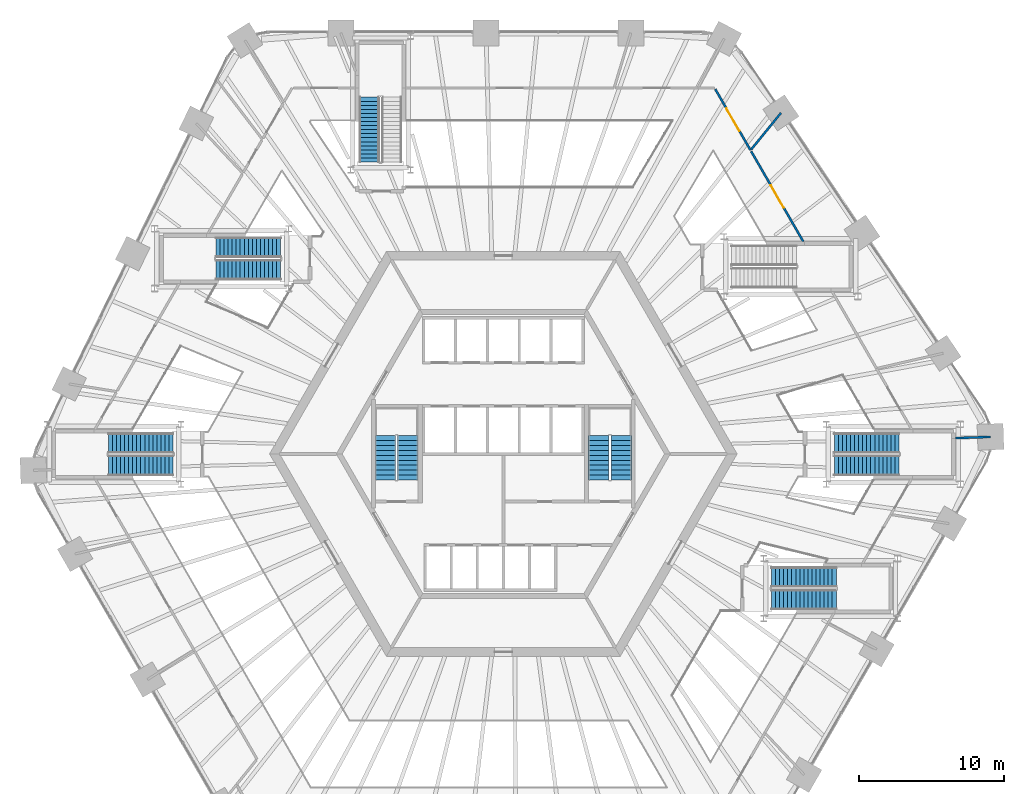
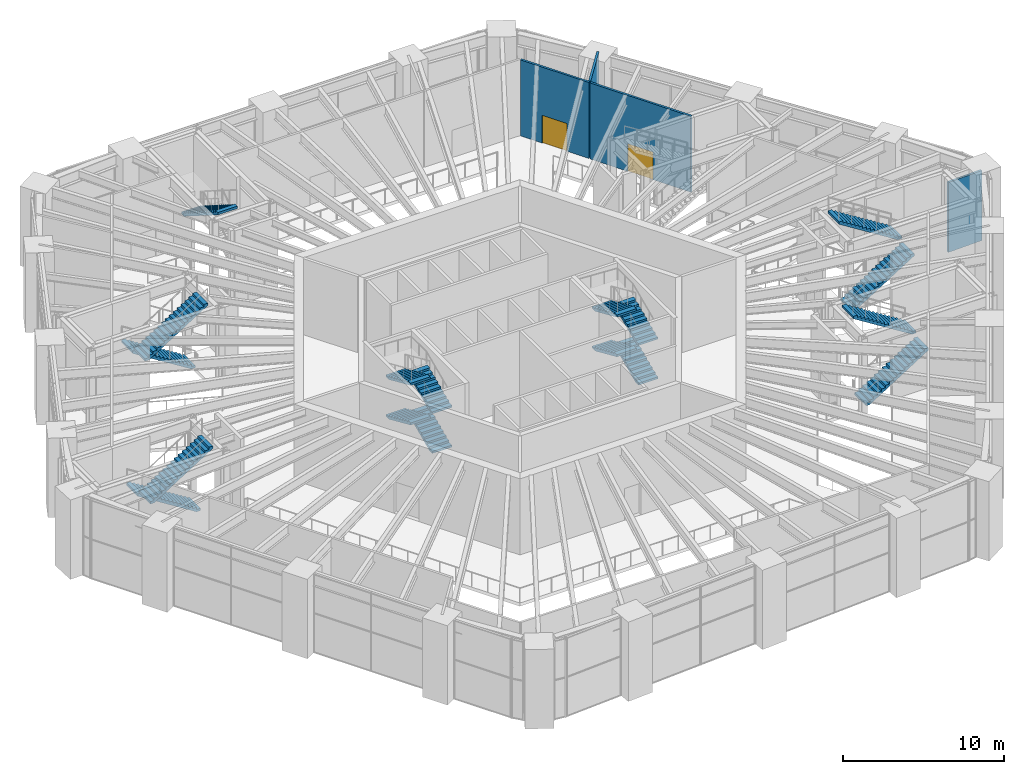
# One storey, part 25 of 32: 17 stair flights, 4 walls, 2 doors, 2 openings, 7 elements without a shape of their own.
"""IFC4 building model written with IfcOpenShell, lengths in metres."""

from ifc_helpers import new_model, si_unit, direction, frame, frame_2d, origin, place, context, subcontext, project, spatial, polyline, rectangle, outline, extrude, material, layer, layer_set, type_object, element, fill, aggregate, save


model = new_model("IFC4")

# Units and contexts
model_context = context("Model", 3, precision=1e-05, world=origin(), true_north=direction((0.0, 1.0)))
body_context = subcontext(model_context, "Body", "Model", "MODEL_VIEW")
ifc_project = project(units=[si_unit("LENGTHUNIT", "METRE"), si_unit("AREAUNIT", "SQUARE_METRE"), si_unit("VOLUMEUNIT", "CUBIC_METRE"), si_unit("PLANEANGLEUNIT", "RADIAN"), si_unit("MASSUNIT", "GRAM", prefix="KILO")], contexts=[model_context])

# Site, building, storey
site_placement = place(None, origin())
site = spatial("IfcSite", under=ifc_project, at=site_placement, CompositionType="ELEMENT")
building_placement = place(site_placement, origin())
building = spatial("IfcBuilding", under=site, at=building_placement, Name="Tarnside Tower", CompositionType="ELEMENT")
storey_placement = place(building_placement, frame((0.0, 0.0, 9.0)))
storey = spatial("IfcBuildingStorey", under=building, at=storey_placement, Name="L01", CompositionType="ELEMENT", Elevation=9.0)

# Wall, opening, door
ifc_material_1 = material(Name="Gypsum board")
ifc_layer = layer(ifc_material_1, 0.14990234375)
ifc_layer_set = layer_set([ifc_layer], Name="Partition 150 gypsum board on metal stud")
wall_type = type_object("IfcWallType", Name="Partition 150 gypsum board on metal stud", PredefinedType="PARTITIONING", material=ifc_layer_set)
wall_1_placement = place(storey_placement, frame((14.650390625, 25.22509765625, 0.0), z_axis=(0.0, 0.0, 1.0), x_axis=(0.499960365612, -0.8660482855, 0.0)))
wall_1 = element("IfcWall", 1, at=wall_1_placement, inside=storey, type_object=wall_type, Name="Partition 063", PredefinedType="PARTITIONING", context=body_context, shape_type="SweptSolid", body=[
    extrude(rectangle(XDim=4.8857421875, YDim=0.14990234375, at=frame_2d((2.44287109375, 0.0))), origin(), (0.0, 0.0, 1.0), 5.75),
])
opening_1_placement = place(wall_1_placement, frame((1.542724609375, 0.0, 0.0)))
opening_1 = element("IfcOpeningElement", 2, at=opening_1_placement, cuts=wall_1, Name="Opening D1800F30", PredefinedType="OPENING", context=body_context, shape_type="SweptSolid", body=[
    extrude(rectangle(XDim=1.800048828125, YDim=2.10009765625, at=frame_2d((0.89990234375, 1.050048828125))), frame((0.0, 0.0849609375, 0.0), z_axis=(0.0, -1.0, 0.0), x_axis=(1.0, 0.0, 0.0)), (0.0, 0.0, 1.0), 0.169921875),
])
ifc_material_2 = material(Name="Timber door leaf", Category="wood")
door_type = type_object("IfcDoorType", Name="Door pair 1800 x 2100 FD30S fire door", OperationType="NOTDEFINED", PredefinedType="DOOR", material=ifc_material_2)
door_1_placement = place(opening_1_placement, origin())
door_1 = element("IfcDoor", 3, at=door_1_placement, inside=storey, type_object=door_type, Name="Door L01-21", OperationType="DOUBLE_DOOR_SINGLE_SWING", OverallHeight=2.10009765625, OverallWidth=1.800048828125, PredefinedType="DOOR", context=body_context, shape_type="SweptSolid", body=[
    extrude(rectangle(XDim=1.800048828125, YDim=2.10009765625, at=frame_2d((0.89990234375, 1.050048828125))), frame((0.0, 0.02490234375, 0.0), z_axis=(0.0, -1.0, 0.0), x_axis=(1.0, 0.0, 0.0)), (0.0, 0.0, 1.0), 0.050048828125),
])
fill(opening_1, door_1)

# Wall
wall_2_placement = place(storey_placement, frame((19.197021484375, 23.577880859375, 0.0), z_axis=(0.0, 0.0, 1.0), x_axis=(-0.631437306041, -0.775426933076, 0.0)))
element("IfcWall", 4, at=wall_2_placement, inside=storey, type_object=wall_type, Name="Partition 067", PredefinedType="PARTITIONING", context=body_context, shape_type="SweptSolid", body=[
    extrude(rectangle(XDim=3.251953125, YDim=0.14990234375, at=frame_2d((1.6259765625, 0.0))), origin(), (0.0, 0.0, 1.0), 5.75),
])

# Wall, opening, door
wall_3_placement = place(storey_placement, frame((17.133056640625, 20.924560546875, 0.0), z_axis=(0.0, 0.0, 1.0), x_axis=(0.500050435772, -0.86599628272, 0.0)))
wall_3 = element("IfcWall", 5, at=wall_3_placement, inside=storey, type_object=wall_type, Name="Partition 070", PredefinedType="PARTITIONING", context=body_context, shape_type="SweptSolid", body=[
    extrude(rectangle(XDim=7.216552734375, YDim=0.14990234375, at=frame_2d((3.6083984375, 0.0))), origin(), (0.0, 0.0, 1.0), 5.75),
])
opening_2_placement = place(wall_3_placement, frame((2.708251953125, 0.0, 0.0)))
opening_2 = element("IfcOpeningElement", 6, at=opening_2_placement, cuts=wall_3, Name="Opening D1800F30", PredefinedType="OPENING", context=body_context, shape_type="SweptSolid", body=[
    extrude(rectangle(XDim=1.800048828125, YDim=2.10009765625, at=frame_2d((0.89990234375, 1.050048828125))), frame((0.0, 0.0849609375, 0.0), z_axis=(0.0, -1.0, 0.0), x_axis=(1.0, 0.0, 0.0)), (0.0, 0.0, 1.0), 0.169921875),
])
door_2_placement = place(opening_2_placement, origin())
door_2 = element("IfcDoor", 7, at=door_2_placement, inside=storey, type_object=door_type, Name="Door L01-23", OperationType="DOUBLE_DOOR_SINGLE_SWING", OverallHeight=2.10009765625, OverallWidth=1.800048828125, PredefinedType="DOOR", context=body_context, shape_type="SweptSolid", body=[
    extrude(rectangle(XDim=1.800048828125, YDim=2.10009765625, at=frame_2d((0.89990234375, 1.050048828125))), frame((0.0, 0.02490234375, 0.0), z_axis=(0.0, -1.0, 0.0), x_axis=(1.0, 0.0, 0.0)), (0.0, 0.0, 1.0), 0.050048828125),
])
fill(opening_2, door_2)

# Wall
wall_4_placement = place(storey_placement, frame((33.68505859375, 1.176025390625, 0.0), z_axis=(0.0, 0.0, 1.0), x_axis=(-0.999395360939, -0.034769419515, 0.0)))
element("IfcWall", 8, at=wall_4_placement, inside=storey, type_object=wall_type, Name="Partition 094", PredefinedType="PARTITIONING", context=body_context, shape_type="SweptSolid", body=[
    extrude(rectangle(XDim=2.4365234375, YDim=0.14990234375, at=frame_2d((1.21826171875, 0.0))), origin(), (0.0, 0.0, 1.0), 5.296630859375),
])

# Stair, stair flights
ifc_material_3 = material(Name="Concrete C40/50", Category="concrete")
stair_type_1 = type_object("IfcStairType", Name="Exit stair 1400 clear", PredefinedType="HALF_TURN_STAIR", material=ifc_material_3)
stair_1_placement = place(storey_placement, origin())
stair_1 = element("IfcStair", 9, at=stair_1_placement, inside=storey, type_object=stair_type_1, Name="L01 Exit stair 1", PredefinedType="HALF_TURN_STAIR")
stair_flight_type_1 = type_object("IfcStairFlightType", Name="Exit stair flight 1400", PredefinedType="STRAIGHT", material=ifc_material_3)
stair_flight_1_placement = place(storey_placement, frame((8.14990234375, -1.800048828125, 0.0), z_axis=(0.0, 0.0, 1.0), x_axis=(0.0, 1.0, 0.0)))
stair_flight_1 = element("IfcStairFlight", 10, at=stair_flight_1_placement, type_object=stair_flight_type_1, Name="ST1 flight 1", NumberOfRisers=10, NumberOfTreads=9, PredefinedType="STRAIGHT", RiserHeight=0.15, TreadLength=0.34, context=body_context, shape_type="SweptSolid", body=[
    extrude(outline(polyline([(0.0, 0.0), (0.0, 0.14990234375), (0.340087890625, 0.14990234375), (0.340087890625, 0.300048828125), (0.679931640625, 0.300048828125), (0.679931640625, 0.449951171875), (1.02001953125, 0.449951171875), (1.02001953125, 0.60009765625), (1.360107421875, 0.60009765625), (1.360107421875, 0.75), (1.699951171875, 0.75), (1.699951171875, 0.89990234375), (2.0400390625, 0.89990234375), (2.0400390625, 1.050048828125), (2.3798828125, 1.050048828125), (2.3798828125, 1.199951171875), (2.719970703125, 1.199951171875), (2.719970703125, 1.35009765625), (3.06005859375, 1.35009765625), (3.06005859375, 1.5), (3.06005859375, 1.186279296875), (0.371337890625, 0.0), (0.0, 0.0)])), frame((0.0, 0.699951171875, 0.0), z_axis=(0.0, -1.0, 0.0), x_axis=(1.0, 0.0, 0.0)), (0.0, 0.0, 1.0), 1.39990234375),
])
stair_flight_2_placement = place(storey_placement, frame((6.60009765625, 1.260009765625, 1.5), z_axis=(0.0, 0.0, 1.0), x_axis=(0.0, -1.0, 0.0)))
stair_flight_2 = element("IfcStairFlight", 11, at=stair_flight_2_placement, type_object=stair_flight_type_1, Name="ST1 flight 2", NumberOfRisers=10, NumberOfTreads=9, PredefinedType="STRAIGHT", RiserHeight=0.15, TreadLength=0.34, context=body_context, shape_type="SweptSolid", body=[
    extrude(outline(polyline([(0.0, 0.0), (0.0, 0.14990234375), (0.340087890625, 0.14990234375), (0.340087890625, 0.300048828125), (0.679931640625, 0.300048828125), (0.679931640625, 0.449951171875), (1.02001953125, 0.449951171875), (1.02001953125, 0.60009765625), (1.360107421875, 0.60009765625), (1.360107421875, 0.75), (1.699951171875, 0.75), (1.699951171875, 0.89990234375), (2.0400390625, 0.89990234375), (2.0400390625, 1.050048828125), (2.3798828125, 1.050048828125), (2.3798828125, 1.199951171875), (2.719970703125, 1.199951171875), (2.719970703125, 1.35009765625), (3.06005859375, 1.35009765625), (3.06005859375, 1.5), (3.06005859375, 1.186279296875), (0.371337890625, 0.0), (0.0, 0.0)])), frame((0.0, 0.699951171875, 0.0), z_axis=(0.0, -1.0, 0.0), x_axis=(1.0, 0.0, 0.0)), (0.0, 0.0, 1.0), 1.39990234375),
])
stair_flight_3_placement = place(storey_placement, frame((8.14990234375, -1.800048828125, 3.0), z_axis=(0.0, 0.0, 1.0), x_axis=(0.0, 1.0, 0.0)))
stair_flight_3 = element("IfcStairFlight", 12, at=stair_flight_3_placement, type_object=stair_flight_type_1, Name="ST1 flight 3", NumberOfRisers=10, NumberOfTreads=9, PredefinedType="STRAIGHT", RiserHeight=0.15, TreadLength=0.34, context=body_context, shape_type="SweptSolid", body=[
    extrude(outline(polyline([(0.0, 0.0), (0.0, 0.14990234375), (0.340087890625, 0.14990234375), (0.340087890625, 0.300048828125), (0.679931640625, 0.300048828125), (0.679931640625, 0.449951171875), (1.02001953125, 0.449951171875), (1.02001953125, 0.60009765625), (1.360107421875, 0.60009765625), (1.360107421875, 0.75), (1.699951171875, 0.75), (1.699951171875, 0.89990234375), (2.0400390625, 0.89990234375), (2.0400390625, 1.050048828125), (2.3798828125, 1.050048828125), (2.3798828125, 1.199951171875), (2.719970703125, 1.199951171875), (2.719970703125, 1.35009765625), (3.06005859375, 1.35009765625), (3.06005859375, 1.5), (3.06005859375, 1.186279296875), (0.371337890625, 0.0), (0.0, 0.0)])), frame((0.0, 0.699951171875, 0.0), z_axis=(0.0, -1.0, 0.0), x_axis=(1.0, 0.0, 0.0)), (0.0, 0.0, 1.0), 1.39990234375),
])
stair_flight_4_placement = place(storey_placement, frame((6.60009765625, 1.260009765625, 4.5), z_axis=(0.0, 0.0, 1.0), x_axis=(0.0, -1.0, 0.0)))
stair_flight_4 = element("IfcStairFlight", 13, at=stair_flight_4_placement, type_object=stair_flight_type_1, Name="ST1 flight 4", NumberOfRisers=10, NumberOfTreads=9, PredefinedType="STRAIGHT", RiserHeight=0.15, TreadLength=0.34, context=body_context, shape_type="SweptSolid", body=[
    extrude(outline(polyline([(0.0, 0.0), (0.0, 0.14990234375), (0.340087890625, 0.14990234375), (0.340087890625, 0.300048828125), (0.679931640625, 0.300048828125), (0.679931640625, 0.449951171875), (1.02001953125, 0.449951171875), (1.02001953125, 0.60009765625), (1.360107421875, 0.60009765625), (1.360107421875, 0.75), (1.699951171875, 0.75), (1.699951171875, 0.89990234375), (2.0400390625, 0.89990234375), (2.0400390625, 1.050048828125), (2.3798828125, 1.050048828125), (2.3798828125, 1.199951171875), (2.719970703125, 1.199951171875), (2.719970703125, 1.35009765625), (3.06005859375, 1.35009765625), (3.06005859375, 1.5), (3.06005859375, 1.186279296875), (0.371337890625, 0.0), (0.0, 0.0)])), frame((0.0, 0.699951171875, 0.0), z_axis=(0.0, -1.0, 0.0), x_axis=(1.0, 0.0, 0.0)), (0.0, 0.0, 1.0), 1.39990234375),
])
aggregate(stair_1, [stair_flight_1, stair_flight_2, stair_flight_3, stair_flight_4])

stair_2_placement = place(storey_placement, origin())
stair_2 = element("IfcStair", 14, at=stair_2_placement, inside=storey, type_object=stair_type_1, Name="L01 Exit stair 2", PredefinedType="HALF_TURN_STAIR")
stair_flight_5_placement = place(storey_placement, frame((-6.60009765625, -1.800048828125, 0.0), z_axis=(0.0, 0.0, 1.0), x_axis=(0.0, 1.0, 0.0)))
stair_flight_5 = element("IfcStairFlight", 15, at=stair_flight_5_placement, type_object=stair_flight_type_1, Name="ST2 flight 1", NumberOfRisers=10, NumberOfTreads=9, PredefinedType="STRAIGHT", RiserHeight=0.15, TreadLength=0.34, context=body_context, shape_type="SweptSolid", body=[
    extrude(outline(polyline([(0.0, 0.0), (0.0, 0.14990234375), (0.340087890625, 0.14990234375), (0.340087890625, 0.300048828125), (0.679931640625, 0.300048828125), (0.679931640625, 0.449951171875), (1.02001953125, 0.449951171875), (1.02001953125, 0.60009765625), (1.360107421875, 0.60009765625), (1.360107421875, 0.75), (1.699951171875, 0.75), (1.699951171875, 0.89990234375), (2.0400390625, 0.89990234375), (2.0400390625, 1.050048828125), (2.3798828125, 1.050048828125), (2.3798828125, 1.199951171875), (2.719970703125, 1.199951171875), (2.719970703125, 1.35009765625), (3.06005859375, 1.35009765625), (3.06005859375, 1.5), (3.06005859375, 1.186279296875), (0.371337890625, 0.0), (0.0, 0.0)])), frame((0.0, 0.699951171875, 0.0), z_axis=(0.0, -1.0, 0.0), x_axis=(1.0, 0.0, 0.0)), (0.0, 0.0, 1.0), 1.39990234375),
])
stair_flight_6_placement = place(storey_placement, frame((-8.14990234375, 1.260009765625, 1.5), z_axis=(0.0, 0.0, 1.0), x_axis=(0.0, -1.0, 0.0)))
stair_flight_6 = element("IfcStairFlight", 16, at=stair_flight_6_placement, type_object=stair_flight_type_1, Name="ST2 flight 2", NumberOfRisers=10, NumberOfTreads=9, PredefinedType="STRAIGHT", RiserHeight=0.15, TreadLength=0.34, context=body_context, shape_type="SweptSolid", body=[
    extrude(outline(polyline([(0.0, 0.0), (0.0, 0.14990234375), (0.340087890625, 0.14990234375), (0.340087890625, 0.300048828125), (0.679931640625, 0.300048828125), (0.679931640625, 0.449951171875), (1.02001953125, 0.449951171875), (1.02001953125, 0.60009765625), (1.360107421875, 0.60009765625), (1.360107421875, 0.75), (1.699951171875, 0.75), (1.699951171875, 0.89990234375), (2.0400390625, 0.89990234375), (2.0400390625, 1.050048828125), (2.3798828125, 1.050048828125), (2.3798828125, 1.199951171875), (2.719970703125, 1.199951171875), (2.719970703125, 1.35009765625), (3.06005859375, 1.35009765625), (3.06005859375, 1.5), (3.06005859375, 1.186279296875), (0.371337890625, 0.0), (0.0, 0.0)])), frame((0.0, 0.699951171875, 0.0), z_axis=(0.0, -1.0, 0.0), x_axis=(1.0, 0.0, 0.0)), (0.0, 0.0, 1.0), 1.39990234375),
])
stair_flight_7_placement = place(storey_placement, frame((-6.60009765625, -1.800048828125, 3.0), z_axis=(0.0, 0.0, 1.0), x_axis=(0.0, 1.0, 0.0)))
stair_flight_7 = element("IfcStairFlight", 17, at=stair_flight_7_placement, type_object=stair_flight_type_1, Name="ST2 flight 3", NumberOfRisers=10, NumberOfTreads=9, PredefinedType="STRAIGHT", RiserHeight=0.15, TreadLength=0.34, context=body_context, shape_type="SweptSolid", body=[
    extrude(outline(polyline([(0.0, 0.0), (0.0, 0.14990234375), (0.340087890625, 0.14990234375), (0.340087890625, 0.300048828125), (0.679931640625, 0.300048828125), (0.679931640625, 0.449951171875), (1.02001953125, 0.449951171875), (1.02001953125, 0.60009765625), (1.360107421875, 0.60009765625), (1.360107421875, 0.75), (1.699951171875, 0.75), (1.699951171875, 0.89990234375), (2.0400390625, 0.89990234375), (2.0400390625, 1.050048828125), (2.3798828125, 1.050048828125), (2.3798828125, 1.199951171875), (2.719970703125, 1.199951171875), (2.719970703125, 1.35009765625), (3.06005859375, 1.35009765625), (3.06005859375, 1.5), (3.06005859375, 1.186279296875), (0.371337890625, 0.0), (0.0, 0.0)])), frame((0.0, 0.699951171875, 0.0), z_axis=(0.0, -1.0, 0.0), x_axis=(1.0, 0.0, 0.0)), (0.0, 0.0, 1.0), 1.39990234375),
])
stair_flight_8_placement = place(storey_placement, frame((-8.14990234375, 1.260009765625, 4.5), z_axis=(0.0, 0.0, 1.0), x_axis=(0.0, -1.0, 0.0)))
stair_flight_8 = element("IfcStairFlight", 18, at=stair_flight_8_placement, type_object=stair_flight_type_1, Name="ST2 flight 4", NumberOfRisers=10, NumberOfTreads=9, PredefinedType="STRAIGHT", RiserHeight=0.15, TreadLength=0.34, context=body_context, shape_type="SweptSolid", body=[
    extrude(outline(polyline([(0.0, 0.0), (0.0, 0.14990234375), (0.340087890625, 0.14990234375), (0.340087890625, 0.300048828125), (0.679931640625, 0.300048828125), (0.679931640625, 0.449951171875), (1.02001953125, 0.449951171875), (1.02001953125, 0.60009765625), (1.360107421875, 0.60009765625), (1.360107421875, 0.75), (1.699951171875, 0.75), (1.699951171875, 0.89990234375), (2.0400390625, 0.89990234375), (2.0400390625, 1.050048828125), (2.3798828125, 1.050048828125), (2.3798828125, 1.199951171875), (2.719970703125, 1.199951171875), (2.719970703125, 1.35009765625), (3.06005859375, 1.35009765625), (3.06005859375, 1.5), (3.06005859375, 1.186279296875), (0.371337890625, 0.0), (0.0, 0.0)])), frame((0.0, 0.699951171875, 0.0), z_axis=(0.0, -1.0, 0.0), x_axis=(1.0, 0.0, 0.0)), (0.0, 0.0, 1.0), 1.39990234375),
])
aggregate(stair_2, [stair_flight_5, stair_flight_6, stair_flight_7, stair_flight_8])

# Stair, stair flight
stair_type_2 = type_object("IfcStairType", Name="Podium exit stair 1400 clear", PredefinedType="HALF_TURN_STAIR", material=ifc_material_3)
stair_3_placement = place(storey_placement, origin())
stair_3 = element("IfcStair", 19, at=stair_3_placement, inside=storey, type_object=stair_type_2, Name="L01 Podium exit stair 1", PredefinedType="HALF_TURN_STAIR")
stair_flight_type_2 = type_object("IfcStairFlightType", Name="Podium exit stair flight 1400", PredefinedType="STRAIGHT", material=ifc_material_3)
stair_flight_9_placement = place(storey_placement, frame((-9.2646484375, 24.659912109375, 3.0), z_axis=(0.0, 0.0, 1.0), x_axis=(0.0, -1.0, 0.0)))
stair_flight_9 = element("IfcStairFlight", 20, at=stair_flight_9_placement, type_object=stair_flight_type_2, Name="PS1 flight 2", NumberOfRisers=17, NumberOfTreads=16, PredefinedType="STRAIGHT", RiserHeight=0.176470588, TreadLength=0.28, context=body_context, shape_type="SweptSolid", body=[
    extrude(outline(polyline([(0.0, 0.0), (0.0, 0.176513671875), (0.280029296875, 0.176513671875), (0.280029296875, 0.35302734375), (0.56005859375, 0.35302734375), (0.56005859375, 0.529296875), (0.840087890625, 0.529296875), (0.840087890625, 0.705810546875), (1.1201171875, 0.705810546875), (1.1201171875, 0.88232421875), (1.39990234375, 0.88232421875), (1.39990234375, 1.058837890625), (1.679931640625, 1.058837890625), (1.679931640625, 1.2353515625), (1.9599609375, 1.2353515625), (1.9599609375, 1.411865234375), (2.239990234375, 1.411865234375), (2.239990234375, 1.588134765625), (2.52001953125, 1.588134765625), (2.52001953125, 1.7646484375), (2.800048828125, 1.7646484375), (2.800048828125, 1.941162109375), (3.080078125, 1.941162109375), (3.080078125, 2.11767578125), (3.360107421875, 2.11767578125), (3.360107421875, 2.294189453125), (3.639892578125, 2.294189453125), (3.639892578125, 2.470703125), (3.919921875, 2.470703125), (3.919921875, 2.64697265625), (4.199951171875, 2.64697265625), (4.199951171875, 2.823486328125), (4.47998046875, 2.823486328125), (4.47998046875, 3.0), (4.47998046875, 2.646240234375), (0.28125, 0.0), (0.0, 0.0)])), frame((0.0, 0.699951171875, 0.0), z_axis=(0.0, -1.0, 0.0), x_axis=(1.0, 0.0, 0.0)), (0.0, 0.0, 1.0), 1.39990234375),
])
aggregate(stair_3, [stair_flight_9])

# Stair, stair flights
stair_4_placement = place(storey_placement, origin())
stair_4 = element("IfcStair", 21, at=stair_4_placement, inside=storey, type_object=stair_type_2, Name="L01 Podium exit stair 2", PredefinedType="HALF_TURN_STAIR")
stair_flight_10_placement = place(storey_placement, frame((-22.830078125, 0.75, 0.0), z_axis=(0.0, 0.0, 1.0), x_axis=(-1.0, 0.0, 0.0)))
stair_flight_10 = element("IfcStairFlight", 22, at=stair_flight_10_placement, type_object=stair_flight_type_2, Name="PS2 flight 1", NumberOfRisers=17, NumberOfTreads=16, PredefinedType="STRAIGHT", RiserHeight=0.176470588, TreadLength=0.28, context=body_context, shape_type="SweptSolid", body=[
    extrude(outline(polyline([(0.0, 0.0), (0.0, 0.176513671875), (0.280029296875, 0.176513671875), (0.280029296875, 0.35302734375), (0.56005859375, 0.35302734375), (0.56005859375, 0.529296875), (0.840087890625, 0.529296875), (0.840087890625, 0.705810546875), (1.1201171875, 0.705810546875), (1.1201171875, 0.88232421875), (1.39990234375, 0.88232421875), (1.39990234375, 1.058837890625), (1.679931640625, 1.058837890625), (1.679931640625, 1.2353515625), (1.9599609375, 1.2353515625), (1.9599609375, 1.411865234375), (2.239990234375, 1.411865234375), (2.239990234375, 1.588134765625), (2.52001953125, 1.588134765625), (2.52001953125, 1.7646484375), (2.800048828125, 1.7646484375), (2.800048828125, 1.941162109375), (3.080078125, 1.941162109375), (3.080078125, 2.11767578125), (3.360107421875, 2.11767578125), (3.360107421875, 2.294189453125), (3.639892578125, 2.294189453125), (3.639892578125, 2.470703125), (3.919921875, 2.470703125), (3.919921875, 2.64697265625), (4.199951171875, 2.64697265625), (4.199951171875, 2.823486328125), (4.47998046875, 2.823486328125), (4.47998046875, 3.0), (4.47998046875, 2.646240234375), (0.28125, 0.0), (0.0, 0.0)])), frame((0.0, 0.699951171875, 0.0), z_axis=(0.0, -1.0, 0.0), x_axis=(1.0, 0.0, 0.0)), (0.0, 0.0, 1.0), 1.39990234375),
])
stair_flight_11_placement = place(storey_placement, frame((-27.31005859375, -0.800048828125, 3.0), z_axis=(0.0, 0.0, 1.0), x_axis=(1.0, 0.0, 0.0)))
stair_flight_11 = element("IfcStairFlight", 23, at=stair_flight_11_placement, type_object=stair_flight_type_2, Name="PS2 flight 2", NumberOfRisers=17, NumberOfTreads=16, PredefinedType="STRAIGHT", RiserHeight=0.176470588, TreadLength=0.28, context=body_context, shape_type="SweptSolid", body=[
    extrude(outline(polyline([(0.0, 0.0), (0.0, 0.176513671875), (0.280029296875, 0.176513671875), (0.280029296875, 0.35302734375), (0.56005859375, 0.35302734375), (0.56005859375, 0.529296875), (0.840087890625, 0.529296875), (0.840087890625, 0.705810546875), (1.1201171875, 0.705810546875), (1.1201171875, 0.88232421875), (1.39990234375, 0.88232421875), (1.39990234375, 1.058837890625), (1.679931640625, 1.058837890625), (1.679931640625, 1.2353515625), (1.9599609375, 1.2353515625), (1.9599609375, 1.411865234375), (2.239990234375, 1.411865234375), (2.239990234375, 1.588134765625), (2.52001953125, 1.588134765625), (2.52001953125, 1.7646484375), (2.800048828125, 1.7646484375), (2.800048828125, 1.941162109375), (3.080078125, 1.941162109375), (3.080078125, 2.11767578125), (3.360107421875, 2.11767578125), (3.360107421875, 2.294189453125), (3.639892578125, 2.294189453125), (3.639892578125, 2.470703125), (3.919921875, 2.470703125), (3.919921875, 2.64697265625), (4.199951171875, 2.64697265625), (4.199951171875, 2.823486328125), (4.47998046875, 2.823486328125), (4.47998046875, 3.0), (4.47998046875, 2.646240234375), (0.28125, 0.0), (0.0, 0.0)])), frame((0.0, 0.699951171875, 0.0), z_axis=(0.0, -1.0, 0.0), x_axis=(1.0, 0.0, 0.0)), (0.0, 0.0, 1.0), 1.39990234375),
])
aggregate(stair_4, [stair_flight_10, stair_flight_11])

stair_5_placement = place(storey_placement, origin())
stair_5 = element("IfcStair", 24, at=stair_5_placement, inside=storey, type_object=stair_type_2, Name="L01 Podium exit stair 3", PredefinedType="HALF_TURN_STAIR")
stair_flight_12_placement = place(storey_placement, frame((22.8798828125, -0.800048828125, 0.0), z_axis=(0.0, 0.0, 1.0), x_axis=(1.0, 0.0, 0.0)))
stair_flight_12 = element("IfcStairFlight", 25, at=stair_flight_12_placement, type_object=stair_flight_type_2, Name="PS3 flight 1", NumberOfRisers=17, NumberOfTreads=16, PredefinedType="STRAIGHT", RiserHeight=0.176470588, TreadLength=0.28, context=body_context, shape_type="SweptSolid", body=[
    extrude(outline(polyline([(0.0, 0.0), (0.0, 0.176513671875), (0.280029296875, 0.176513671875), (0.280029296875, 0.35302734375), (0.56005859375, 0.35302734375), (0.56005859375, 0.529296875), (0.840087890625, 0.529296875), (0.840087890625, 0.705810546875), (1.1201171875, 0.705810546875), (1.1201171875, 0.88232421875), (1.39990234375, 0.88232421875), (1.39990234375, 1.058837890625), (1.679931640625, 1.058837890625), (1.679931640625, 1.2353515625), (1.9599609375, 1.2353515625), (1.9599609375, 1.411865234375), (2.239990234375, 1.411865234375), (2.239990234375, 1.588134765625), (2.52001953125, 1.588134765625), (2.52001953125, 1.7646484375), (2.800048828125, 1.7646484375), (2.800048828125, 1.941162109375), (3.080078125, 1.941162109375), (3.080078125, 2.11767578125), (3.360107421875, 2.11767578125), (3.360107421875, 2.294189453125), (3.639892578125, 2.294189453125), (3.639892578125, 2.470703125), (3.919921875, 2.470703125), (3.919921875, 2.64697265625), (4.199951171875, 2.64697265625), (4.199951171875, 2.823486328125), (4.47998046875, 2.823486328125), (4.47998046875, 3.0), (4.47998046875, 2.646240234375), (0.28125, 0.0), (0.0, 0.0)])), frame((0.0, 0.699951171875, 0.0), z_axis=(0.0, -1.0, 0.0), x_axis=(1.0, 0.0, 0.0)), (0.0, 0.0, 1.0), 1.39990234375),
])
stair_flight_13_placement = place(storey_placement, frame((27.360107421875, 0.75, 3.0), z_axis=(0.0, 0.0, 1.0), x_axis=(-1.0, 0.0, 0.0)))
stair_flight_13 = element("IfcStairFlight", 26, at=stair_flight_13_placement, type_object=stair_flight_type_2, Name="PS3 flight 2", NumberOfRisers=17, NumberOfTreads=16, PredefinedType="STRAIGHT", RiserHeight=0.176470588, TreadLength=0.28, context=body_context, shape_type="SweptSolid", body=[
    extrude(outline(polyline([(0.0, 0.0), (0.0, 0.176513671875), (0.280029296875, 0.176513671875), (0.280029296875, 0.35302734375), (0.56005859375, 0.35302734375), (0.56005859375, 0.529296875), (0.840087890625, 0.529296875), (0.840087890625, 0.705810546875), (1.1201171875, 0.705810546875), (1.1201171875, 0.88232421875), (1.39990234375, 0.88232421875), (1.39990234375, 1.058837890625), (1.679931640625, 1.058837890625), (1.679931640625, 1.2353515625), (1.9599609375, 1.2353515625), (1.9599609375, 1.411865234375), (2.239990234375, 1.411865234375), (2.239990234375, 1.588134765625), (2.52001953125, 1.588134765625), (2.52001953125, 1.7646484375), (2.800048828125, 1.7646484375), (2.800048828125, 1.941162109375), (3.080078125, 1.941162109375), (3.080078125, 2.11767578125), (3.360107421875, 2.11767578125), (3.360107421875, 2.294189453125), (3.639892578125, 2.294189453125), (3.639892578125, 2.470703125), (3.919921875, 2.470703125), (3.919921875, 2.64697265625), (4.199951171875, 2.64697265625), (4.199951171875, 2.823486328125), (4.47998046875, 2.823486328125), (4.47998046875, 3.0), (4.47998046875, 2.646240234375), (0.28125, 0.0), (0.0, 0.0)])), frame((0.0, 0.699951171875, 0.0), z_axis=(0.0, -1.0, 0.0), x_axis=(1.0, 0.0, 0.0)), (0.0, 0.0, 1.0), 1.39990234375),
])
aggregate(stair_5, [stair_flight_12, stair_flight_13])

stair_6_placement = place(storey_placement, origin())
stair_6 = element("IfcStair", 27, at=stair_6_placement, inside=storey, type_object=stair_type_2, Name="L01 Podium exit stair 5", PredefinedType="HALF_TURN_STAIR")
stair_flight_14_placement = place(storey_placement, frame((18.5400390625, -10.074951171875, 0.0), z_axis=(0.0, 0.0, 1.0), x_axis=(1.0, 0.0, 0.0)))
stair_flight_14 = element("IfcStairFlight", 28, at=stair_flight_14_placement, type_object=stair_flight_type_2, Name="PS5 flight 1", NumberOfRisers=17, NumberOfTreads=16, PredefinedType="STRAIGHT", RiserHeight=0.176470588, TreadLength=0.28, context=body_context, shape_type="SweptSolid", body=[
    extrude(outline(polyline([(0.0, 0.0), (0.0, 0.176513671875), (0.280029296875, 0.176513671875), (0.280029296875, 0.35302734375), (0.56005859375, 0.35302734375), (0.56005859375, 0.529296875), (0.840087890625, 0.529296875), (0.840087890625, 0.705810546875), (1.1201171875, 0.705810546875), (1.1201171875, 0.88232421875), (1.39990234375, 0.88232421875), (1.39990234375, 1.058837890625), (1.679931640625, 1.058837890625), (1.679931640625, 1.2353515625), (1.9599609375, 1.2353515625), (1.9599609375, 1.411865234375), (2.239990234375, 1.411865234375), (2.239990234375, 1.588134765625), (2.52001953125, 1.588134765625), (2.52001953125, 1.7646484375), (2.800048828125, 1.7646484375), (2.800048828125, 1.941162109375), (3.080078125, 1.941162109375), (3.080078125, 2.11767578125), (3.360107421875, 2.11767578125), (3.360107421875, 2.294189453125), (3.639892578125, 2.294189453125), (3.639892578125, 2.470703125), (3.919921875, 2.470703125), (3.919921875, 2.64697265625), (4.199951171875, 2.64697265625), (4.199951171875, 2.823486328125), (4.47998046875, 2.823486328125), (4.47998046875, 3.0), (4.47998046875, 2.646240234375), (0.28125, 0.0), (0.0, 0.0)])), frame((0.0, 0.699951171875, 0.0), z_axis=(0.0, -1.0, 0.0), x_axis=(1.0, 0.0, 0.0)), (0.0, 0.0, 1.0), 1.39990234375),
])
stair_flight_15_placement = place(storey_placement, frame((23.02001953125, -8.52490234375, 3.0), z_axis=(0.0, 0.0, 1.0), x_axis=(-1.0, 0.0, 0.0)))
stair_flight_15 = element("IfcStairFlight", 29, at=stair_flight_15_placement, type_object=stair_flight_type_2, Name="PS5 flight 2", NumberOfRisers=17, NumberOfTreads=16, PredefinedType="STRAIGHT", RiserHeight=0.176470588, TreadLength=0.28, context=body_context, shape_type="SweptSolid", body=[
    extrude(outline(polyline([(0.0, 0.0), (0.0, 0.176513671875), (0.280029296875, 0.176513671875), (0.280029296875, 0.35302734375), (0.56005859375, 0.35302734375), (0.56005859375, 0.529296875), (0.840087890625, 0.529296875), (0.840087890625, 0.705810546875), (1.1201171875, 0.705810546875), (1.1201171875, 0.88232421875), (1.39990234375, 0.88232421875), (1.39990234375, 1.058837890625), (1.679931640625, 1.058837890625), (1.679931640625, 1.2353515625), (1.9599609375, 1.2353515625), (1.9599609375, 1.411865234375), (2.239990234375, 1.411865234375), (2.239990234375, 1.588134765625), (2.52001953125, 1.588134765625), (2.52001953125, 1.7646484375), (2.800048828125, 1.7646484375), (2.800048828125, 1.941162109375), (3.080078125, 1.941162109375), (3.080078125, 2.11767578125), (3.360107421875, 2.11767578125), (3.360107421875, 2.294189453125), (3.639892578125, 2.294189453125), (3.639892578125, 2.470703125), (3.919921875, 2.470703125), (3.919921875, 2.64697265625), (4.199951171875, 2.64697265625), (4.199951171875, 2.823486328125), (4.47998046875, 2.823486328125), (4.47998046875, 3.0), (4.47998046875, 2.646240234375), (0.28125, 0.0), (0.0, 0.0)])), frame((0.0, 0.699951171875, 0.0), z_axis=(0.0, -1.0, 0.0), x_axis=(1.0, 0.0, 0.0)), (0.0, 0.0, 1.0), 1.39990234375),
])
aggregate(stair_6, [stair_flight_14, stair_flight_15])

stair_7_placement = place(storey_placement, origin())
stair_7 = element("IfcStair", 30, at=stair_7_placement, inside=storey, type_object=stair_type_2, Name="L01 Podium exit stair 6", PredefinedType="HALF_TURN_STAIR")
stair_flight_16_placement = place(storey_placement, frame((-15.389892578125, 14.27490234375, 0.0), z_axis=(0.0, 0.0, 1.0), x_axis=(-1.0, 0.0, 0.0)))
stair_flight_16 = element("IfcStairFlight", 31, at=stair_flight_16_placement, type_object=stair_flight_type_2, Name="PS6 flight 1", NumberOfRisers=17, NumberOfTreads=16, PredefinedType="STRAIGHT", RiserHeight=0.176470588, TreadLength=0.28, context=body_context, shape_type="SweptSolid", body=[
    extrude(outline(polyline([(0.0, 0.0), (0.0, 0.176513671875), (0.280029296875, 0.176513671875), (0.280029296875, 0.35302734375), (0.56005859375, 0.35302734375), (0.56005859375, 0.529296875), (0.840087890625, 0.529296875), (0.840087890625, 0.705810546875), (1.1201171875, 0.705810546875), (1.1201171875, 0.88232421875), (1.39990234375, 0.88232421875), (1.39990234375, 1.058837890625), (1.679931640625, 1.058837890625), (1.679931640625, 1.2353515625), (1.9599609375, 1.2353515625), (1.9599609375, 1.411865234375), (2.239990234375, 1.411865234375), (2.239990234375, 1.588134765625), (2.52001953125, 1.588134765625), (2.52001953125, 1.7646484375), (2.800048828125, 1.7646484375), (2.800048828125, 1.941162109375), (3.080078125, 1.941162109375), (3.080078125, 2.11767578125), (3.360107421875, 2.11767578125), (3.360107421875, 2.294189453125), (3.639892578125, 2.294189453125), (3.639892578125, 2.470703125), (3.919921875, 2.470703125), (3.919921875, 2.64697265625), (4.199951171875, 2.64697265625), (4.199951171875, 2.823486328125), (4.47998046875, 2.823486328125), (4.47998046875, 3.0), (4.47998046875, 2.646240234375), (0.28125, 0.0), (0.0, 0.0)])), frame((0.0, 0.699951171875, 0.0), z_axis=(0.0, -1.0, 0.0), x_axis=(1.0, 0.0, 0.0)), (0.0, 0.0, 1.0), 1.39990234375),
])
stair_flight_17_placement = place(storey_placement, frame((-19.8701171875, 12.72509765625, 3.0), z_axis=(0.0, 0.0, 1.0), x_axis=(1.0, 0.0, 0.0)))
stair_flight_17 = element("IfcStairFlight", 32, at=stair_flight_17_placement, type_object=stair_flight_type_2, Name="PS6 flight 2", NumberOfRisers=17, NumberOfTreads=16, PredefinedType="STRAIGHT", RiserHeight=0.176470588, TreadLength=0.28, context=body_context, shape_type="SweptSolid", body=[
    extrude(outline(polyline([(0.0, 0.0), (0.0, 0.176513671875), (0.280029296875, 0.176513671875), (0.280029296875, 0.35302734375), (0.56005859375, 0.35302734375), (0.56005859375, 0.529296875), (0.840087890625, 0.529296875), (0.840087890625, 0.705810546875), (1.1201171875, 0.705810546875), (1.1201171875, 0.88232421875), (1.39990234375, 0.88232421875), (1.39990234375, 1.058837890625), (1.679931640625, 1.058837890625), (1.679931640625, 1.2353515625), (1.9599609375, 1.2353515625), (1.9599609375, 1.411865234375), (2.239990234375, 1.411865234375), (2.239990234375, 1.588134765625), (2.52001953125, 1.588134765625), (2.52001953125, 1.7646484375), (2.800048828125, 1.7646484375), (2.800048828125, 1.941162109375), (3.080078125, 1.941162109375), (3.080078125, 2.11767578125), (3.360107421875, 2.11767578125), (3.360107421875, 2.294189453125), (3.639892578125, 2.294189453125), (3.639892578125, 2.470703125), (3.919921875, 2.470703125), (3.919921875, 2.64697265625), (4.199951171875, 2.64697265625), (4.199951171875, 2.823486328125), (4.47998046875, 2.823486328125), (4.47998046875, 3.0), (4.47998046875, 2.646240234375), (0.28125, 0.0), (0.0, 0.0)])), frame((0.0, 0.699951171875, 0.0), z_axis=(0.0, -1.0, 0.0), x_axis=(1.0, 0.0, 0.0)), (0.0, 0.0, 1.0), 1.39990234375),
])
aggregate(stair_7, [stair_flight_16, stair_flight_17])

save(model, "model.ifc")
